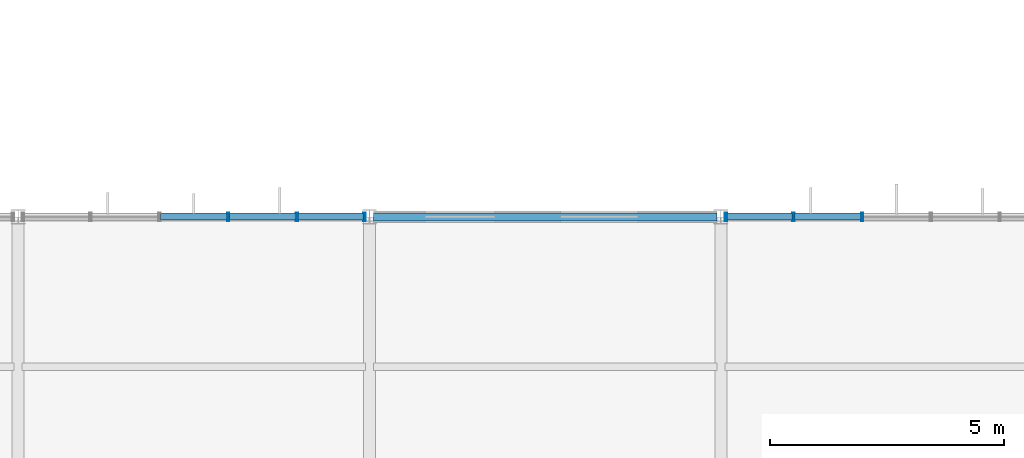
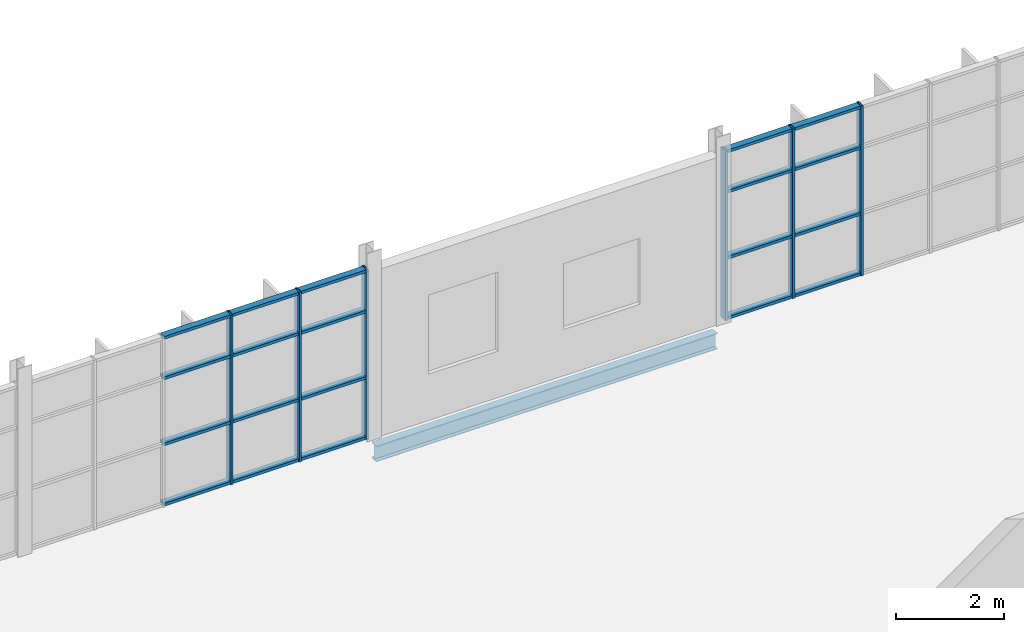
# One storey, part 62 of 324: 26 members, 1 beam, 2 elements without a shape of their own.
"""IFC4 building model written with IfcOpenShell, lengths in metres."""

from ifc_helpers import new_model, si_unit, direction, frame, origin, origin_2d, place, context, subcontext, project, spatial, hollow_rectangle, i_section, extrude, material, layer, layer_set, material_profile, profile_set, type_object, element, aggregate, save


model = new_model("IFC4")

# Units and contexts
model_context = context("Model", 3, precision=1e-05, world=origin(), true_north=direction((0.0, 1.0)))
body_context = subcontext(model_context, "Body", "Model", "MODEL_VIEW")
ifc_project = project(units=[si_unit("LENGTHUNIT", "METRE"), si_unit("AREAUNIT", "SQUARE_METRE"), si_unit("VOLUMEUNIT", "CUBIC_METRE"), si_unit("PLANEANGLEUNIT", "RADIAN"), si_unit("MASSUNIT", "GRAM", prefix="KILO")], contexts=[model_context])

# Site, building, storey
site_placement = place(None, origin())
site = spatial("IfcSite", under=ifc_project, at=site_placement, CompositionType="ELEMENT")
building_placement = place(site_placement, origin())
building = spatial("IfcBuilding", under=site, at=building_placement, Name="Solvenia Promenade Tram Depot", CompositionType="ELEMENT")
storey_placement = place(building_placement, frame((0.0, 0.0, 4.5)))
storey = spatial("IfcBuildingStorey", under=building, at=storey_placement, Name="L01", CompositionType="ELEMENT", Elevation=4.5)

# Curtain wall, members
ifc_material_1 = material(Name="Anodized aluminium AW-6063 T6", Category="aluminium")
ifc_layer = layer(ifc_material_1, 0.14990234375, Name="Anodized aluminium AW-6063 T6", Category="aluminium")
ifc_layer_set = layer_set([ifc_layer], Name="Anodized aluminium AW-6063 T6")
curtain_wall_type = type_object("IfcCurtainWallType", Name="CW-Court-1500", PredefinedType="NOTDEFINED", material=ifc_layer_set)
curtain_wall_1_placement = place(storey_placement, origin())
curtain_wall_1 = element("IfcCurtainWall", 1, at=curtain_wall_1_placement, inside=storey, type_object=curtain_wall_type, Name="Curtain Wall CW-V4N-L01-09", PredefinedType="NOTDEFINED")
ifc_material_profile_1 = material_profile(ifc_material_1, hollow_rectangle(XDim=0.179931640625, YDim=0.050048828125, WallThickness=0.00390625, at=origin_2d()), Name="ALU-M2", Category="aluminium")
ifc_profile_set_1 = profile_set([ifc_material_profile_1], Name="Anodized aluminium AW-6063 T6")
member_type_1 = type_object("IfcMemberType", Name="CWM-Mullion-2", PredefinedType="MULLION", material=ifc_profile_set_1)
member_1_placement = place(storey_placement, frame((64.48388671875, 24.0, 0.0), z_axis=(0.0, 0.0, 1.0), x_axis=(0.0, 1.0, 0.0)))
member_1 = element("IfcMember", 2, at=member_1_placement, type_object=member_type_1, Name="CW-5 mullion 4", PredefinedType="MULLION", context=body_context, shape_type="SweptSolid", body=[
    extrude(hollow_rectangle(XDim=0.179931640625, YDim=0.050048828125, WallThickness=0.00390625, at=origin_2d()), origin(), (0.0, 0.0, 1.0), 3.85009765625),
])
member_2_placement = place(storey_placement, frame((65.951904296875, 24.0, 0.0), z_axis=(0.0, 0.0, 1.0), x_axis=(0.0, 1.0, 0.0)))
member_2 = element("IfcMember", 3, at=member_2_placement, type_object=member_type_1, Name="CW-5 mullion 5", PredefinedType="MULLION", context=body_context, shape_type="SweptSolid", body=[
    extrude(hollow_rectangle(XDim=0.179931640625, YDim=0.050048828125, WallThickness=0.00390625, at=origin_2d()), origin(), (0.0, 0.0, 1.0), 3.85009765625),
])
member_3_placement = place(storey_placement, frame((67.39501953125, 24.0, 0.0), z_axis=(0.0, 0.0, 1.0), x_axis=(0.0, 1.0, 0.0)))
member_3 = element("IfcMember", 4, at=member_3_placement, type_object=member_type_1, Name="CW-5 mullion 6", PredefinedType="MULLION", context=body_context, shape_type="SweptSolid", body=[
    extrude(hollow_rectangle(XDim=0.179931640625, YDim=0.050048828125, WallThickness=0.00390625, at=origin_2d()), origin(), (0.0, 0.0, 1.0), 3.85009765625),
])

curtain_wall_2_placement = place(storey_placement, origin())
curtain_wall_2 = element("IfcCurtainWall", 5, at=curtain_wall_2_placement, inside=storey, type_object=curtain_wall_type, Name="Curtain Wall CW-V4N-L01-11", PredefinedType="NOTDEFINED")
member_4_placement = place(storey_placement, frame((75.10498046875, 24.0, 0.0), z_axis=(0.0, 0.0, 1.0), x_axis=(0.0, 1.0, 0.0)))
member_4 = element("IfcMember", 6, at=member_4_placement, type_object=member_type_1, Name="CW-5 mullion 1", PredefinedType="MULLION", context=body_context, shape_type="SweptSolid", body=[
    extrude(hollow_rectangle(XDim=0.179931640625, YDim=0.050048828125, WallThickness=0.00390625, at=origin_2d()), origin(), (0.0, 0.0, 1.0), 3.85009765625),
])
member_5_placement = place(storey_placement, frame((76.548095703125, 24.0, 0.0), z_axis=(0.0, 0.0, 1.0), x_axis=(0.0, 1.0, 0.0)))
member_5 = element("IfcMember", 7, at=member_5_placement, type_object=member_type_1, Name="CW-5 mullion 2", PredefinedType="MULLION", context=body_context, shape_type="SweptSolid", body=[
    extrude(hollow_rectangle(XDim=0.179931640625, YDim=0.050048828125, WallThickness=0.00390625, at=origin_2d()), origin(), (0.0, 0.0, 1.0), 3.85009765625),
])
member_6_placement = place(storey_placement, frame((78.01611328125, 24.0, 0.0), z_axis=(0.0, 0.0, 1.0), x_axis=(0.0, 1.0, 0.0)))
member_6 = element("IfcMember", 8, at=member_6_placement, type_object=member_type_1, Name="CW-5 mullion 3", PredefinedType="MULLION", context=body_context, shape_type="SweptSolid", body=[
    extrude(hollow_rectangle(XDim=0.179931640625, YDim=0.050048828125, WallThickness=0.00390625, at=origin_2d()), origin(), (0.0, 0.0, 1.0), 3.85009765625),
])

# Member
ifc_material_profile_2 = material_profile(ifc_material_1, hollow_rectangle(XDim=0.139892578125, YDim=0.06494140625, WallThickness=0.00390625, at=origin_2d()), Name="ALU-T2", Category="aluminium")
ifc_profile_set_2 = profile_set([ifc_material_profile_2], Name="Anodized aluminium AW-6063 T6")
member_type_2 = type_object("IfcMemberType", Name="CWT-Transom-2", PredefinedType="USERDEFINED", material=ifc_profile_set_2)
member_7_placement = place(storey_placement, frame((63.041015625, 24.0, 0.032470703125), z_axis=(1.0, 0.0, 0.0), x_axis=(0.0, 1.0, 0.0)))
member_7 = element("IfcMember", 9, at=member_7_placement, type_object=member_type_2, Name="CW-5 transom 3.1", ObjectType="TRANSOM", PredefinedType="USERDEFINED", context=body_context, shape_type="SweptSolid", body=[
    extrude(hollow_rectangle(XDim=0.139892578125, YDim=0.06494140625, WallThickness=0.00390625, at=origin_2d()), origin(), (0.0, 0.0, 1.0), 1.41796875),
])

member_8_placement = place(storey_placement, frame((63.041015625, 24.0, 1.39990234375), z_axis=(1.0, 0.0, 0.0), x_axis=(0.0, 1.0, 0.0)))
member_8 = element("IfcMember", 10, at=member_8_placement, type_object=member_type_2, Name="CW-5 transom 3.2", ObjectType="TRANSOM", PredefinedType="USERDEFINED", context=body_context, shape_type="SweptSolid", body=[
    extrude(hollow_rectangle(XDim=0.139892578125, YDim=0.06494140625, WallThickness=0.00390625, at=origin_2d()), origin(), (0.0, 0.0, 1.0), 1.41796875),
])

member_9_placement = place(storey_placement, frame((63.041015625, 24.0, 2.89990234375), z_axis=(1.0, 0.0, 0.0), x_axis=(0.0, 1.0, 0.0)))
member_9 = element("IfcMember", 11, at=member_9_placement, type_object=member_type_2, Name="CW-5 transom 3.3", ObjectType="TRANSOM", PredefinedType="USERDEFINED", context=body_context, shape_type="SweptSolid", body=[
    extrude(hollow_rectangle(XDim=0.139892578125, YDim=0.06494140625, WallThickness=0.00390625, at=origin_2d()), origin(), (0.0, 0.0, 1.0), 1.41796875),
])

member_10_placement = place(storey_placement, frame((63.041015625, 24.0, 3.8173828125), z_axis=(1.0, 0.0, 0.0), x_axis=(0.0, 1.0, 0.0)))
member_10 = element("IfcMember", 12, at=member_10_placement, type_object=member_type_2, Name="CW-5 transom 3.4", ObjectType="TRANSOM", PredefinedType="USERDEFINED", context=body_context, shape_type="SweptSolid", body=[
    extrude(hollow_rectangle(XDim=0.139892578125, YDim=0.06494140625, WallThickness=0.00390625, at=origin_2d()), origin(), (0.0, 0.0, 1.0), 1.41796875),
])

member_11_placement = place(storey_placement, frame((64.509033203125, 24.0, 0.032470703125), z_axis=(1.0, 0.0, 0.0), x_axis=(0.0, 1.0, 0.0)))
member_11 = element("IfcMember", 13, at=member_11_placement, type_object=member_type_2, Name="CW-5 transom 4.1", ObjectType="TRANSOM", PredefinedType="USERDEFINED", context=body_context, shape_type="SweptSolid", body=[
    extrude(hollow_rectangle(XDim=0.139892578125, YDim=0.06494140625, WallThickness=0.00390625, at=origin_2d()), origin(), (0.0, 0.0, 1.0), 1.41796875),
])

member_12_placement = place(storey_placement, frame((64.509033203125, 24.0, 1.39990234375), z_axis=(1.0, 0.0, 0.0), x_axis=(0.0, 1.0, 0.0)))
member_12 = element("IfcMember", 14, at=member_12_placement, type_object=member_type_2, Name="CW-5 transom 4.2", ObjectType="TRANSOM", PredefinedType="USERDEFINED", context=body_context, shape_type="SweptSolid", body=[
    extrude(hollow_rectangle(XDim=0.139892578125, YDim=0.06494140625, WallThickness=0.00390625, at=origin_2d()), origin(), (0.0, 0.0, 1.0), 1.41796875),
])

member_13_placement = place(storey_placement, frame((64.509033203125, 24.0, 2.89990234375), z_axis=(1.0, 0.0, 0.0), x_axis=(0.0, 1.0, 0.0)))
member_13 = element("IfcMember", 15, at=member_13_placement, type_object=member_type_2, Name="CW-5 transom 4.3", ObjectType="TRANSOM", PredefinedType="USERDEFINED", context=body_context, shape_type="SweptSolid", body=[
    extrude(hollow_rectangle(XDim=0.139892578125, YDim=0.06494140625, WallThickness=0.00390625, at=origin_2d()), origin(), (0.0, 0.0, 1.0), 1.41796875),
])

member_14_placement = place(storey_placement, frame((64.509033203125, 24.0, 3.8173828125), z_axis=(1.0, 0.0, 0.0), x_axis=(0.0, 1.0, 0.0)))
member_14 = element("IfcMember", 16, at=member_14_placement, type_object=member_type_2, Name="CW-5 transom 4.4", ObjectType="TRANSOM", PredefinedType="USERDEFINED", context=body_context, shape_type="SweptSolid", body=[
    extrude(hollow_rectangle(XDim=0.139892578125, YDim=0.06494140625, WallThickness=0.00390625, at=origin_2d()), origin(), (0.0, 0.0, 1.0), 1.41796875),
])

member_15_placement = place(storey_placement, frame((65.97705078125, 24.0, 0.032470703125), z_axis=(1.0, 0.0, 0.0), x_axis=(0.0, 1.0, 0.0)))
member_15 = element("IfcMember", 17, at=member_15_placement, type_object=member_type_2, Name="CW-5 transom 5.1", ObjectType="TRANSOM", PredefinedType="USERDEFINED", context=body_context, shape_type="SweptSolid", body=[
    extrude(hollow_rectangle(XDim=0.139892578125, YDim=0.06494140625, WallThickness=0.00390625, at=origin_2d()), origin(), (0.0, 0.0, 1.0), 1.39306640625),
])

member_16_placement = place(storey_placement, frame((65.97705078125, 24.0, 1.39990234375), z_axis=(1.0, 0.0, 0.0), x_axis=(0.0, 1.0, 0.0)))
member_16 = element("IfcMember", 18, at=member_16_placement, type_object=member_type_2, Name="CW-5 transom 5.2", ObjectType="TRANSOM", PredefinedType="USERDEFINED", context=body_context, shape_type="SweptSolid", body=[
    extrude(hollow_rectangle(XDim=0.139892578125, YDim=0.06494140625, WallThickness=0.00390625, at=origin_2d()), origin(), (0.0, 0.0, 1.0), 1.39306640625),
])

member_17_placement = place(storey_placement, frame((65.97705078125, 24.0, 2.89990234375), z_axis=(1.0, 0.0, 0.0), x_axis=(0.0, 1.0, 0.0)))
member_17 = element("IfcMember", 19, at=member_17_placement, type_object=member_type_2, Name="CW-5 transom 5.3", ObjectType="TRANSOM", PredefinedType="USERDEFINED", context=body_context, shape_type="SweptSolid", body=[
    extrude(hollow_rectangle(XDim=0.139892578125, YDim=0.06494140625, WallThickness=0.00390625, at=origin_2d()), origin(), (0.0, 0.0, 1.0), 1.39306640625),
])

member_18_placement = place(storey_placement, frame((65.97705078125, 24.0, 3.8173828125), z_axis=(1.0, 0.0, 0.0), x_axis=(0.0, 1.0, 0.0)))
member_18 = element("IfcMember", 20, at=member_18_placement, type_object=member_type_2, Name="CW-5 transom 5.4", ObjectType="TRANSOM", PredefinedType="USERDEFINED", context=body_context, shape_type="SweptSolid", body=[
    extrude(hollow_rectangle(XDim=0.139892578125, YDim=0.06494140625, WallThickness=0.00390625, at=origin_2d()), origin(), (0.0, 0.0, 1.0), 1.39306640625),
])

aggregate(curtain_wall_1, [member_1, member_2, member_3, member_7, member_8, member_9, member_10, member_11, member_12, member_13, member_14, member_15, member_16, member_17, member_18])

member_19_placement = place(storey_placement, frame((75.1298828125, 24.0, 0.032470703125), z_axis=(1.0, 0.0, 0.0), x_axis=(0.0, 1.0, 0.0)))
member_19 = element("IfcMember", 21, at=member_19_placement, type_object=member_type_2, Name="CW-5 transom 1.1", ObjectType="TRANSOM", PredefinedType="USERDEFINED", context=body_context, shape_type="SweptSolid", body=[
    extrude(hollow_rectangle(XDim=0.139892578125, YDim=0.06494140625, WallThickness=0.00390625, at=origin_2d()), origin(), (0.0, 0.0, 1.0), 1.39306640625),
])

member_20_placement = place(storey_placement, frame((75.1298828125, 24.0, 1.39990234375), z_axis=(1.0, 0.0, 0.0), x_axis=(0.0, 1.0, 0.0)))
member_20 = element("IfcMember", 22, at=member_20_placement, type_object=member_type_2, Name="CW-5 transom 1.2", ObjectType="TRANSOM", PredefinedType="USERDEFINED", context=body_context, shape_type="SweptSolid", body=[
    extrude(hollow_rectangle(XDim=0.139892578125, YDim=0.06494140625, WallThickness=0.00390625, at=origin_2d()), origin(), (0.0, 0.0, 1.0), 1.39306640625),
])

member_21_placement = place(storey_placement, frame((75.1298828125, 24.0, 2.89990234375), z_axis=(1.0, 0.0, 0.0), x_axis=(0.0, 1.0, 0.0)))
member_21 = element("IfcMember", 23, at=member_21_placement, type_object=member_type_2, Name="CW-5 transom 1.3", ObjectType="TRANSOM", PredefinedType="USERDEFINED", context=body_context, shape_type="SweptSolid", body=[
    extrude(hollow_rectangle(XDim=0.139892578125, YDim=0.06494140625, WallThickness=0.00390625, at=origin_2d()), origin(), (0.0, 0.0, 1.0), 1.39306640625),
])

member_22_placement = place(storey_placement, frame((75.1298828125, 24.0, 3.8173828125), z_axis=(1.0, 0.0, 0.0), x_axis=(0.0, 1.0, 0.0)))
member_22 = element("IfcMember", 24, at=member_22_placement, type_object=member_type_2, Name="CW-5 transom 1.4", ObjectType="TRANSOM", PredefinedType="USERDEFINED", context=body_context, shape_type="SweptSolid", body=[
    extrude(hollow_rectangle(XDim=0.139892578125, YDim=0.06494140625, WallThickness=0.00390625, at=origin_2d()), origin(), (0.0, 0.0, 1.0), 1.39306640625),
])

member_23_placement = place(storey_placement, frame((76.572998046875, 24.0, 0.032470703125), z_axis=(1.0, 0.0, 0.0), x_axis=(0.0, 1.0, 0.0)))
member_23 = element("IfcMember", 25, at=member_23_placement, type_object=member_type_2, Name="CW-5 transom 2.1", ObjectType="TRANSOM", PredefinedType="USERDEFINED", context=body_context, shape_type="SweptSolid", body=[
    extrude(hollow_rectangle(XDim=0.139892578125, YDim=0.06494140625, WallThickness=0.00390625, at=origin_2d()), origin(), (0.0, 0.0, 1.0), 1.41796875),
])

member_24_placement = place(storey_placement, frame((76.572998046875, 24.0, 1.39990234375), z_axis=(1.0, 0.0, 0.0), x_axis=(0.0, 1.0, 0.0)))
member_24 = element("IfcMember", 26, at=member_24_placement, type_object=member_type_2, Name="CW-5 transom 2.2", ObjectType="TRANSOM", PredefinedType="USERDEFINED", context=body_context, shape_type="SweptSolid", body=[
    extrude(hollow_rectangle(XDim=0.139892578125, YDim=0.06494140625, WallThickness=0.00390625, at=origin_2d()), origin(), (0.0, 0.0, 1.0), 1.41796875),
])

member_25_placement = place(storey_placement, frame((76.572998046875, 24.0, 2.89990234375), z_axis=(1.0, 0.0, 0.0), x_axis=(0.0, 1.0, 0.0)))
member_25 = element("IfcMember", 27, at=member_25_placement, type_object=member_type_2, Name="CW-5 transom 2.3", ObjectType="TRANSOM", PredefinedType="USERDEFINED", context=body_context, shape_type="SweptSolid", body=[
    extrude(hollow_rectangle(XDim=0.139892578125, YDim=0.06494140625, WallThickness=0.00390625, at=origin_2d()), origin(), (0.0, 0.0, 1.0), 1.41796875),
])

member_26_placement = place(storey_placement, frame((76.572998046875, 24.0, 3.8173828125), z_axis=(1.0, 0.0, 0.0), x_axis=(0.0, 1.0, 0.0)))
member_26 = element("IfcMember", 28, at=member_26_placement, type_object=member_type_2, Name="CW-5 transom 2.4", ObjectType="TRANSOM", PredefinedType="USERDEFINED", context=body_context, shape_type="SweptSolid", body=[
    extrude(hollow_rectangle(XDim=0.139892578125, YDim=0.06494140625, WallThickness=0.00390625, at=origin_2d()), origin(), (0.0, 0.0, 1.0), 1.41796875),
])

aggregate(curtain_wall_2, [member_4, member_5, member_6, member_19, member_20, member_21, member_22, member_23, member_24, member_25, member_26])

# Beam
ifc_material_2 = material(Name="Structural steel ASTM A992 Gr. 50", Category="steel")
ifc_material_profile_3 = material_profile(ifc_material_2, i_section(OverallWidth=0.172119140625, OverallDepth=0.35791015625, WebThickness=0.0078125, FlangeThickness=0.01318359375, FilletRadius=0.010986328125, at=origin_2d()), Name="W360x57", Category="steel")
ifc_profile_set_3 = profile_set([ifc_material_profile_3], Name="Structural steel ASTM A992 Gr. 50")
beam_type = type_object("IfcBeamType", Name="Spandrel-W360x57", PredefinedType="SPANDREL", material=ifc_profile_set_3)
beam_placement = place(storey_placement, frame((67.5849609375, 24.0, -0.39892578125), z_axis=(1.0, 0.0, 0.0), x_axis=(0.0, 1.0, 0.0)))
element("IfcBeam", 29, at=beam_placement, inside=storey, type_object=beam_type, Name="Perimeter Spandrel BM-L01-0327", PredefinedType="SPANDREL", context=body_context, shape_type="SweptSolid", body=[
    extrude(i_section(OverallWidth=0.172119140625, OverallDepth=0.35791015625, WebThickness=0.0078125, FlangeThickness=0.01318359375, FilletRadius=0.010986328125, at=origin_2d()), origin(), (0.0, 0.0, 1.0), 7.330078125),
])

save(model, "model.ifc")
